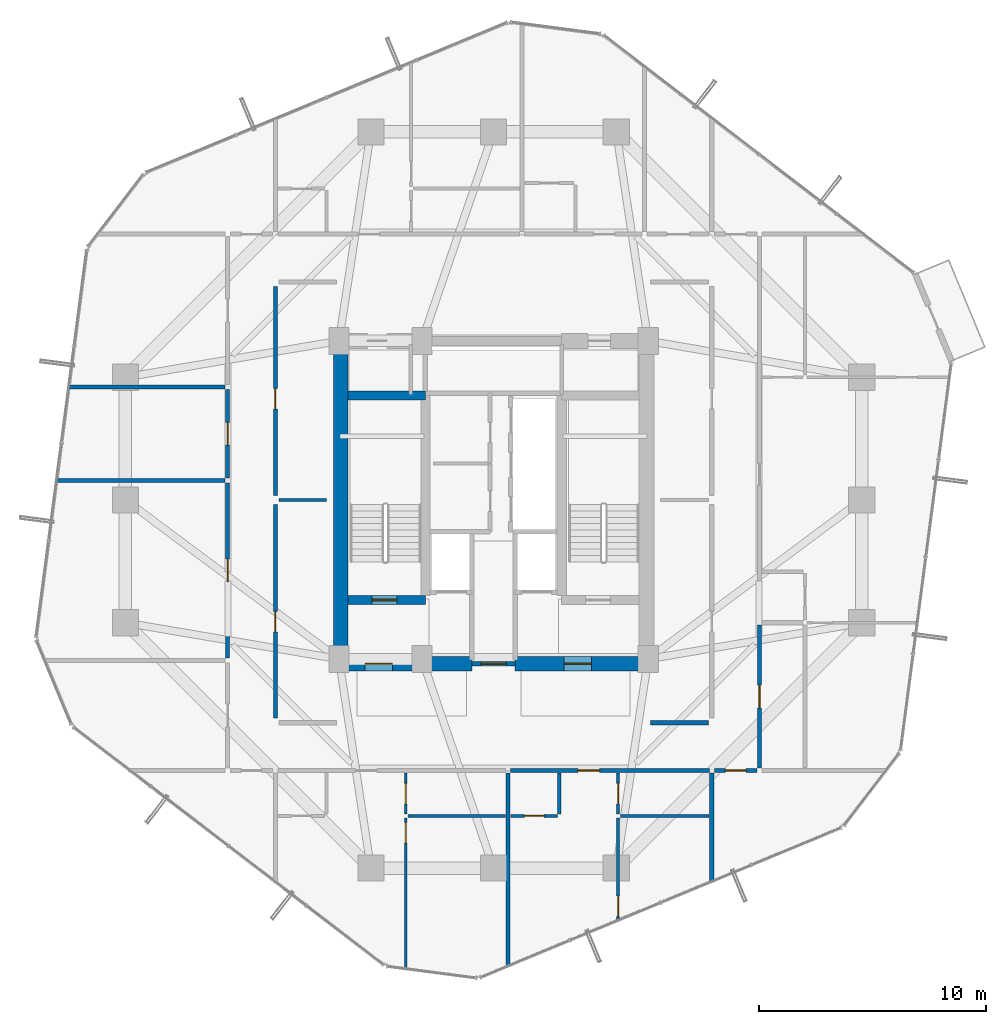
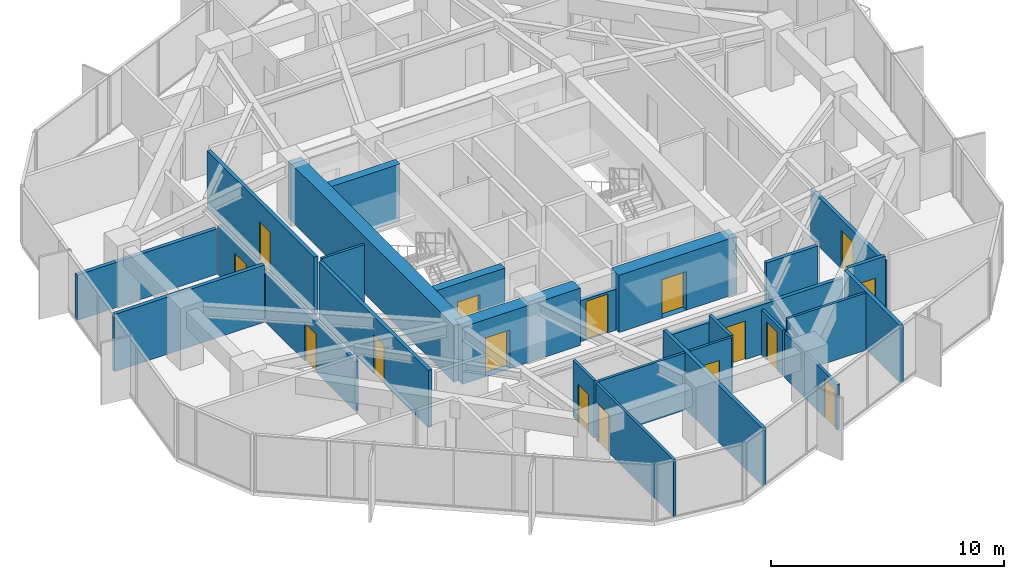
# One storey, part 25 of 30: 27 walls, 16 doors, 16 openings.
"""IFC4 building model written with IfcOpenShell, lengths in metres."""

from ifc_helpers import new_model, si_unit, direction, frame, frame_2d, origin, place, context, subcontext, project, spatial, rectangle, extrude, source, transform, mapped, material, layer, layer_set, type_object, element, fill, save


model = new_model("IFC4")

# Units and contexts
model_context = context("Model", 3, precision=1e-05, world=origin(), true_north=direction((0.0, 1.0)))
body_context = subcontext(model_context, "Body", "Model", "MODEL_VIEW")
ifc_project = project(units=[si_unit("LENGTHUNIT", "METRE"), si_unit("AREAUNIT", "SQUARE_METRE"), si_unit("VOLUMEUNIT", "CUBIC_METRE"), si_unit("PLANEANGLEUNIT", "RADIAN"), si_unit("MASSUNIT", "GRAM", prefix="KILO")], contexts=[model_context])

# Site, building, storey
site_placement = place(None, origin())
site = spatial("IfcSite", under=ifc_project, at=site_placement, CompositionType="ELEMENT")
building_placement = place(site_placement, origin())
building = spatial("IfcBuilding", under=site, at=building_placement, Name="Veraguas Prism Commons", CompositionType="ELEMENT")
storey_placement = place(building_placement, frame((0.0, 0.0, 102.449951171875)))
storey = spatial("IfcBuildingStorey", under=building, at=storey_placement, Name="L28", CompositionType="ELEMENT", Elevation=102.449951171875)

# Wall, opening, door
ifc_material_1 = material(Name="Concrete C50/60", Category="concrete")
ifc_layer_1 = layer(ifc_material_1, 0.39990234375, Name="Clinic and Mid Core Shear Wall RC 400", Category="concrete")
ifc_layer_set_1 = layer_set([ifc_layer_1], Name="Concrete C50/60")
wall_type_1 = type_object("IfcWallType", Name="Clinic and Mid Core Shear Wall RC 400", PredefinedType="SHEAR", material=ifc_layer_set_1)
wall_1_placement = place(storey_placement, frame((17.60009765625, 19.60009765625, 0.0), z_axis=(0.0, 0.0, 1.0), x_axis=(1.0, 0.0, 0.0)))
wall_1 = element("IfcWall", 1, at=wall_1_placement, inside=storey, type_object=wall_type_1, Name="Stair ST-01 South Shear Wall L28", PredefinedType="SHEAR", context=body_context, shape_type="SweptSolid", body=[
    extrude(rectangle(XDim=3.39990234375, YDim=0.39990234375, at=frame_2d((1.699951171875, 0.0))), origin(), (0.0, 0.0, 1.0), 3.0),
])
opening_1_placement = place(wall_1_placement, frame((1.050048828125, 0.0, 0.0)))
opening_1 = element("IfcOpeningElement", 2, at=opening_1_placement, cuts=wall_1, Name="Opening DR-05", PredefinedType="OPENING", context=body_context, shape_type="SweptSolid", body=[
    extrude(rectangle(XDim=1.10009765625, YDim=2.030029296875, at=frame_2d((0.550048828125, 1.01513671875))), frame((0.0, 0.2099609375, 0.0), z_axis=(0.0, -1.0, 0.0), x_axis=(1.0, 0.0, 0.0)), (0.0, 0.0, 1.0), 0.419921875),
])
ifc_material_2 = material(Name="Steel fire-rated door assembly", Category="steel")
door_type_1 = type_object("IfcDoorType", Name="Protected Stair and Refuge Fire Door 1100x2030", OperationType="NOTDEFINED", PredefinedType="DOOR", material=ifc_material_2)
shared_shape_1 = source(origin(), body_context, "Body", "SweptSolid", [
    extrude(rectangle(XDim=1.10009765625, YDim=2.030029296875, at=frame_2d((0.550048828125, 1.01513671875))), frame((0.0, 0.02490234375, 0.0), z_axis=(0.0, -1.0, 0.0), x_axis=(1.0, 0.0, 0.0)), (0.0, 0.0, 1.0), 0.050048828125),
])
door_1_placement = place(opening_1_placement, origin())
door_1 = element("IfcDoor", 3, at=door_1_placement, inside=storey, type_object=door_type_1, Name="Stair ST-01 Enclosure Door L28", OperationType="SINGLE_SWING_RIGHT", OverallHeight=2.030029296875, OverallWidth=1.10009765625, PredefinedType="DOOR", context=body_context, shape_type="MappedRepresentation", body=[
    mapped(shared_shape_1, transform((0.0, 0.0, 0.0), scale=1.0)),
])
fill(opening_1, door_1)

# Walls
wall_2_placement = place(storey_placement, frame((17.60009765625, 28.60009765625, 0.0), z_axis=(0.0, 0.0, 1.0), x_axis=(1.0, 0.0, 0.0)))
element("IfcWall", 4, at=wall_2_placement, inside=storey, type_object=wall_type_1, Name="Stair ST-01 North Shear Wall L28", PredefinedType="SHEAR", context=body_context, shape_type="SweptSolid", body=[
    extrude(rectangle(XDim=3.39990234375, YDim=0.39990234375, at=frame_2d((1.699951171875, 0.0))), origin(), (0.0, 0.0, 1.0), 3.0),
])
ifc_material_3 = material(Name="Concrete C55/67", Category="concrete")
ifc_layer_2 = layer(ifc_material_3, 0.64990234375, Name="Core Outer Shear Wall Mid RC 650", Category="concrete")
ifc_layer_set_2 = layer_set([ifc_layer_2], Name="Concrete C55/67")
wall_type_2 = type_object("IfcWallType", Name="Core Outer Shear Wall Mid RC 650", PredefinedType="SHEAR", material=ifc_layer_set_2)
wall_3_placement = place(storey_placement, frame((17.27490234375, 16.800048828125, 0.0), z_axis=(0.0, 0.0, 1.0), x_axis=(0.0, 1.0, 0.0)))
element("IfcWall", 5, at=wall_3_placement, inside=storey, type_object=wall_type_2, Name="Central Core West Shear Wall L28", PredefinedType="SHEAR", context=body_context, shape_type="SweptSolid", body=[
    extrude(rectangle(XDim=14.199951171875, YDim=0.64990234375, at=frame_2d((7.10009765625, 0.0))), origin(), (0.0, 0.0, 1.0), 3.0),
])

# Wall, opening, door
wall_4_placement = place(storey_placement, frame((17.199951171875, 16.800048828125, 0.0), z_axis=(0.0, 0.0, 1.0), x_axis=(1.0, 0.0, 0.0)))
wall_4 = element("IfcWall", 6, at=wall_4_placement, inside=storey, type_object=wall_type_2, Name="Central Core South-West Shear Wall L28", PredefinedType="SHEAR", context=body_context, shape_type="SweptSolid", body=[
    extrude(rectangle(XDim=5.85009765625, YDim=0.64990234375, at=frame_2d((2.925048828125, 0.0))), origin(), (0.0, 0.0, 1.0), 3.0),
])
opening_2_placement = place(wall_4_placement, frame((1.14990234375, 0.0, 0.0)))
opening_2 = element("IfcOpeningElement", 7, at=opening_2_placement, cuts=wall_4, Name="Opening DR-06", PredefinedType="OPENING", context=body_context, shape_type="SweptSolid", body=[
    extrude(rectangle(XDim=1.199951171875, YDim=2.030029296875, at=frame_2d((0.60009765625, 1.01513671875))), frame((0.0, 0.3349609375, 0.0), z_axis=(0.0, -1.0, 0.0), x_axis=(1.0, 0.0, 0.0)), (0.0, 0.0, 1.0), 0.669921875),
])
door_type_2 = type_object("IfcDoorType", Name="Firefighting Lobby Smoke Door 1200x2030", OperationType="NOTDEFINED", PredefinedType="DOOR", material=ifc_material_2)
shared_shape_2 = source(origin(), body_context, "Body", "SweptSolid", [
    extrude(rectangle(XDim=1.199951171875, YDim=2.030029296875, at=frame_2d((0.60009765625, 1.01513671875))), frame((0.0, 0.02490234375, 0.0), z_axis=(0.0, -1.0, 0.0), x_axis=(1.0, 0.0, 0.0)), (0.0, 0.0, 1.0), 0.050048828125),
])
door_2_placement = place(opening_2_placement, origin())
door_2 = element("IfcDoor", 8, at=door_2_placement, inside=storey, type_object=door_type_2, Name="West FF Lobby Door L28", OperationType="SINGLE_SWING_LEFT", OverallHeight=2.030029296875, OverallWidth=1.199951171875, PredefinedType="DOOR", context=body_context, shape_type="MappedRepresentation", body=[
    mapped(shared_shape_2, transform((0.0, 0.0, 0.0), scale=1.0)),
])
fill(opening_2, door_2)

wall_5_placement = place(storey_placement, frame((24.949951171875, 16.800048828125, 0.0), z_axis=(0.0, 0.0, 1.0), x_axis=(1.0, 0.0, 0.0)))
wall_5 = element("IfcWall", 9, at=wall_5_placement, inside=storey, type_object=wall_type_2, Name="Central Core South-East Shear Wall L28", PredefinedType="SHEAR", context=body_context, shape_type="SweptSolid", body=[
    extrude(rectangle(XDim=5.85009765625, YDim=0.64990234375, at=frame_2d((2.925048828125, 0.0))), origin(), (0.0, 0.0, 1.0), 3.0),
])
opening_3_placement = place(wall_5_placement, frame((2.14990234375, 0.0, 0.0)))
opening_3 = element("IfcOpeningElement", 10, at=opening_3_placement, cuts=wall_5, Name="Opening DR-06", PredefinedType="OPENING", context=body_context, shape_type="SweptSolid", body=[
    extrude(rectangle(XDim=1.199951171875, YDim=2.030029296875, at=frame_2d((0.60009765625, 1.01513671875))), frame((0.0, 0.3349609375, 0.0), z_axis=(0.0, -1.0, 0.0), x_axis=(1.0, 0.0, 0.0)), (0.0, 0.0, 1.0), 0.669921875),
])
door_3_placement = place(opening_3_placement, origin())
door_3 = element("IfcDoor", 11, at=door_3_placement, inside=storey, type_object=door_type_2, Name="East FF Lobby Door L28", OperationType="SINGLE_SWING_LEFT", OverallHeight=2.030029296875, OverallWidth=1.199951171875, PredefinedType="DOOR", context=body_context, shape_type="MappedRepresentation", body=[
    mapped(shared_shape_2, transform((0.0, 0.0, 0.0), scale=1.0)),
])
fill(opening_3, door_3)

ifc_material_4 = material(Name="Autoclaved aerated masonry block 10 MPa", Category="masonry")
ifc_layer_3 = layer(ifc_material_4, 0.179931640625, Name="Corridor and Inter-Tenancy Partition 180", Category="masonry")
ifc_layer_set_3 = layer_set([ifc_layer_3], Name="Autoclaved aerated masonry block 10 MPa")
wall_type_3 = type_object("IfcWallType", Name="Corridor and Inter-Tenancy Partition 180", PredefinedType="PARTITIONING", material=ifc_layer_set_3)
wall_6_placement = place(storey_placement, frame((14.39990234375, 14.39990234375, 0.0), z_axis=(0.0, 0.0, 1.0), x_axis=(0.0, 1.0, 0.0)))
wall_6 = element("IfcWall", 12, at=wall_6_placement, inside=storey, type_object=wall_type_3, Name="WL-L28-IRW1", PredefinedType="PARTITIONING", context=body_context, shape_type="SweptSolid", body=[
    extrude(rectangle(XDim=9.400146484375, YDim=0.179931640625, at=frame_2d((4.7001953125, 0.0))), origin(), (0.0, 0.0, 1.0), 3.0),
])
opening_4_placement = place(wall_6_placement, frame((3.800048828125, 0.0, 0.0)))
opening_4 = element("IfcOpeningElement", 13, at=opening_4_placement, cuts=wall_6, Name="Opening DR-14", PredefinedType="OPENING", context=body_context, shape_type="SweptSolid", body=[
    extrude(rectangle(XDim=0.89990234375, YDim=2.010009765625, at=frame_2d((0.449951171875, 1.0048828125))), frame((0.0, 0.099853515625, 0.0), z_axis=(0.0, -1.0, 0.0), x_axis=(1.0, 0.0, 0.0)), (0.0, 0.0, 1.0), 0.199951171875),
])
door_type_3 = type_object("IfcDoorType", Name="Core Service Room Fire Door 900x2010", OperationType="NOTDEFINED", PredefinedType="DOOR", material=ifc_material_2)
shared_shape_3 = source(origin(), body_context, "Body", "SweptSolid", [
    extrude(rectangle(XDim=0.89990234375, YDim=2.010009765625, at=frame_2d((0.449951171875, 1.0048828125))), frame((0.0, 0.02490234375, 0.0), z_axis=(0.0, -1.0, 0.0), x_axis=(1.0, 0.0, 0.0)), (0.0, 0.0, 1.0), 0.050048828125),
])
door_4_placement = place(opening_4_placement, origin())
door_4 = element("IfcDoor", 14, at=door_4_placement, inside=storey, type_object=door_type_3, Name="Residents Quiet Study Pod Door L28", OperationType="SINGLE_SWING_RIGHT", OverallHeight=2.010009765625, OverallWidth=0.89990234375, PredefinedType="DOOR", context=body_context, shape_type="MappedRepresentation", body=[
    mapped(shared_shape_3, transform((0.0, 0.0, 0.0), scale=1.0)),
])
fill(opening_4, door_4)

wall_7_placement = place(storey_placement, frame((14.39990234375, 24.199951171875, 0.0), z_axis=(0.0, 0.0, 1.0), x_axis=(0.0, 1.0, 0.0)))
wall_7 = element("IfcWall", 15, at=wall_7_placement, inside=storey, type_object=wall_type_3, Name="WL-L28-IRW2", PredefinedType="PARTITIONING", context=body_context, shape_type="SweptSolid", body=[
    extrude(rectangle(XDim=9.199951171875, YDim=0.179931640625, at=frame_2d((4.60009765625, 0.0))), origin(), (0.0, 0.0, 1.0), 3.0),
])
opening_5_placement = place(wall_7_placement, frame((3.800048828125, 0.0, 0.0)))
opening_5 = element("IfcOpeningElement", 16, at=opening_5_placement, cuts=wall_7, Name="Opening DR-14", PredefinedType="OPENING", context=body_context, shape_type="SweptSolid", body=[
    extrude(rectangle(XDim=0.89990234375, YDim=2.010009765625, at=frame_2d((0.449951171875, 1.0048828125))), frame((0.0, 0.099853515625, 0.0), z_axis=(0.0, -1.0, 0.0), x_axis=(1.0, 0.0, 0.0)), (0.0, 0.0, 1.0), 0.199951171875),
])
door_5_placement = place(opening_5_placement, origin())
door_5 = element("IfcDoor", 17, at=door_5_placement, inside=storey, type_object=door_type_3, Name="Co-op Cycle and Pram Store Door L28", OperationType="SINGLE_SWING_LEFT", OverallHeight=2.010009765625, OverallWidth=0.89990234375, PredefinedType="DOOR", context=body_context, shape_type="MappedRepresentation", body=[
    mapped(shared_shape_3, transform((0.0, 0.0, 0.0), scale=1.0)),
])
fill(opening_5, door_5)

# Walls
wall_8_placement = place(storey_placement, frame((30.89990234375, 14.199951171875, 0.0), z_axis=(0.0, 0.0, 1.0), x_axis=(1.0, 0.0, 0.0)))
element("IfcWall", 18, at=wall_8_placement, inside=storey, type_object=wall_type_3, Name="WL-L28-IRES", PredefinedType="PARTITIONING", context=body_context, shape_type="SweptSolid", body=[
    extrude(rectangle(XDim=2.550048828125, YDim=0.179931640625, at=frame_2d((1.27490234375, 0.0))), origin(), (0.0, 0.0, 1.0), 3.0),
])
wall_9_placement = place(storey_placement, frame((33.60009765625, 11.97998046875, 0.0), z_axis=(0.0, 0.0, 1.0), x_axis=(0.0, -1.0, 0.0)))
element("IfcWall", 19, at=wall_9_placement, inside=storey, type_object=wall_type_3, Name="WL-L28-PT002", PredefinedType="PARTITIONING", context=body_context, shape_type="SweptSolid", body=[
    extrude(rectangle(XDim=4.797119140625, YDim=0.179931640625, at=frame_2d((2.3984375, 0.0))), origin(), (0.0, 0.0, 1.0), 3.0),
])
wall_10_placement = place(storey_placement, frame((24.64404296875, 11.97998046875, 0.0), z_axis=(0.0, 0.0, 1.0), x_axis=(0.0, -1.0, 0.0)))
element("IfcWall", 20, at=wall_10_placement, inside=storey, type_object=wall_type_3, Name="WL-L28-PT009", PredefinedType="PARTITIONING", context=body_context, shape_type="SweptSolid", body=[
    extrude(rectangle(XDim=8.51416015625, YDim=0.179931640625, at=frame_2d((4.257080078125, 0.0))), origin(), (0.0, 0.0, 1.0), 3.0),
])

# Wall, opening, door
wall_11_placement = place(storey_placement, frame((24.75390625, 12.10009765625, 0.0), z_axis=(0.0, 0.0, 1.0), x_axis=(1.0, 0.0, 0.0)))
wall_11 = element("IfcWall", 21, at=wall_11_placement, inside=storey, type_object=wall_type_3, Name="WL-L28-PT010", PredefinedType="PARTITIONING", context=body_context, shape_type="SweptSolid", body=[
    extrude(rectangle(XDim=8.736083984375, YDim=0.179931640625, at=frame_2d((4.3681640625, 0.0))), origin(), (0.0, 0.0, 1.0), 2.580078125),
])
opening_6_placement = place(wall_11_placement, frame((2.9580078125, 0.0, 0.0)))
opening_6 = element("IfcOpeningElement", 22, at=opening_6_placement, cuts=wall_11, Name="Opening DR-01", PredefinedType="OPENING", context=body_context, shape_type="SweptSolid", body=[
    extrude(rectangle(XDim=0.949951171875, YDim=2.02001953125, at=frame_2d((0.47509765625, 1.010009765625))), frame((0.0, 0.099853515625, 0.0), z_axis=(0.0, -1.0, 0.0), x_axis=(1.0, 0.0, 0.0)), (0.0, 0.0, 1.0), 0.199951171875),
])
ifc_material_5 = material(Name="Anodised aluminium EN AW-6063 T6", Category="aluminium")
door_type_4 = type_object("IfcDoorType", Name="Apartment Entrance Fire Door 950x2020", OperationType="NOTDEFINED", PredefinedType="DOOR", material=ifc_material_5)
shared_shape_4 = source(origin(), body_context, "Body", "SweptSolid", [
    extrude(rectangle(XDim=0.949951171875, YDim=2.02001953125, at=frame_2d((0.47509765625, 1.010009765625))), frame((0.0, 0.02490234375, 0.0), z_axis=(0.0, -1.0, 0.0), x_axis=(1.0, 0.0, 0.0)), (0.0, 0.0, 1.0), 0.050048828125),
])
door_6_placement = place(opening_6_placement, origin())
door_6 = element("IfcDoor", 23, at=door_6_placement, inside=storey, type_object=door_type_4, Name="Flat 28B Entrance Door", OperationType="SINGLE_SWING_RIGHT", OverallHeight=2.02001953125, OverallWidth=0.949951171875, PredefinedType="DOOR", context=body_context, shape_type="MappedRepresentation", body=[
    mapped(shared_shape_4, transform((0.0, 0.0, 0.0), scale=1.0)),
])
fill(opening_6, door_6)

wall_12_placement = place(storey_placement, frame((12.300048828125, 17.055908203125, 0.0), z_axis=(0.0, 0.0, 1.0), x_axis=(0.0, 1.0, 0.0)))
wall_12 = element("IfcWall", 24, at=wall_12_placement, inside=storey, type_object=wall_type_3, Name="WL-L28-PT033", PredefinedType="PARTITIONING", context=body_context, shape_type="SweptSolid", body=[
    extrude(rectangle(XDim=7.68603515625, YDim=0.179931640625, at=frame_2d((3.843017578125, 0.0))), origin(), (0.0, 0.0, 1.0), 2.580078125),
])
opening_7_placement = place(wall_12_placement, frame((3.343017578125, 0.0, 0.0)))
opening_7 = element("IfcOpeningElement", 25, at=opening_7_placement, cuts=wall_12, Name="Opening DR-13", PredefinedType="OPENING", context=body_context, shape_type="SweptSolid", body=[
    extrude(rectangle(XDim=1.0, YDim=2.010009765625, at=frame_2d((0.5, 1.0048828125))), frame((0.0, 0.099853515625, 0.0), z_axis=(0.0, -1.0, 0.0), x_axis=(1.0, 0.0, 0.0)), (0.0, 0.0, 1.0), 0.199951171875),
])
door_type_5 = type_object("IfcDoorType", Name="Core Accessible WC and Clinic Fire Door 1000x2010", OperationType="NOTDEFINED", PredefinedType="DOOR", material=ifc_material_2)
shared_shape_5 = source(origin(), body_context, "Body", "SweptSolid", [
    extrude(rectangle(XDim=1.0, YDim=2.010009765625, at=frame_2d((0.5, 1.0048828125))), frame((0.0, 0.02490234375, 0.0), z_axis=(0.0, -1.0, 0.0), x_axis=(1.0, 0.0, 0.0)), (0.0, 0.0, 1.0), 0.050048828125),
])
door_7_placement = place(opening_7_placement, origin())
door_7 = element("IfcDoor", 26, at=door_7_placement, inside=storey, type_object=door_type_5, Name="Co-op Store W Door", OperationType="SINGLE_SWING_RIGHT", OverallHeight=2.010009765625, OverallWidth=1.0, PredefinedType="DOOR", context=body_context, shape_type="MappedRepresentation", body=[
    mapped(shared_shape_5, transform((0.0, 0.0, 0.0), scale=1.0)),
])
fill(opening_7, door_7)

# Wall
wall_13_placement = place(storey_placement, frame((12.179931640625, 24.85205078125, 0.0), z_axis=(0.0, 0.0, 1.0), x_axis=(-1.0, 0.0, 0.0)))
element("IfcWall", 27, at=wall_13_placement, inside=storey, type_object=wall_type_3, Name="WL-L28-PT035", PredefinedType="PARTITIONING", context=body_context, shape_type="SweptSolid", body=[
    extrude(rectangle(XDim=7.44482421875, YDim=0.179931640625, at=frame_2d((3.722412109375, 0.0))), origin(), (0.0, 0.0, 1.0), 3.0),
])

# Wall, opening, door
wall_14_placement = place(storey_placement, frame((12.300048828125, 24.9619140625, 0.0), z_axis=(0.0, 0.0, 1.0), x_axis=(0.0, 1.0, 0.0)))
wall_14 = element("IfcWall", 28, at=wall_14_placement, inside=storey, type_object=wall_type_3, Name="WL-L28-PT036", PredefinedType="PARTITIONING", context=body_context, shape_type="SweptSolid", body=[
    extrude(rectangle(XDim=3.902099609375, YDim=0.179931640625, at=frame_2d((1.951171875, 0.0))), origin(), (0.0, 0.0, 1.0), 2.580078125),
])
opening_8_placement = place(wall_14_placement, frame((1.450927734375, 0.0, 0.0)))
opening_8 = element("IfcOpeningElement", 29, at=opening_8_placement, cuts=wall_14, Name="Opening DR-13", PredefinedType="OPENING", context=body_context, shape_type="SweptSolid", body=[
    extrude(rectangle(XDim=1.0, YDim=2.010009765625, at=frame_2d((0.5, 1.0048828125))), frame((0.0, 0.099853515625, 0.0), z_axis=(0.0, -1.0, 0.0), x_axis=(1.0, 0.0, 0.0)), (0.0, 0.0, 1.0), 0.199951171875),
])
door_8_placement = place(opening_8_placement, origin())
door_8 = element("IfcDoor", 30, at=door_8_placement, inside=storey, type_object=door_type_5, Name="Shared Laundry Room Door", OperationType="SINGLE_SWING_LEFT", OverallHeight=2.010009765625, OverallWidth=1.0, PredefinedType="DOOR", context=body_context, shape_type="MappedRepresentation", body=[
    mapped(shared_shape_5, transform((0.0, 0.0, 0.0), scale=1.0)),
])
fill(opening_8, door_8)

# Wall
wall_15_placement = place(storey_placement, frame((12.179931640625, 28.97412109375, 0.0), z_axis=(0.0, 0.0, 1.0), x_axis=(-1.0, 0.0, 0.0)))
element("IfcWall", 31, at=wall_15_placement, inside=storey, type_object=wall_type_3, Name="WL-L28-PT038", PredefinedType="PARTITIONING", context=body_context, shape_type="SweptSolid", body=[
    extrude(rectangle(XDim=6.905029296875, YDim=0.179931640625, at=frame_2d((3.45263671875, 0.0))), origin(), (0.0, 0.0, 1.0), 2.3779296875),
])

# Wall, opening, door
wall_16_placement = place(storey_placement, frame((35.699951171875, 12.2099609375, 0.0), z_axis=(0.0, 0.0, 1.0), x_axis=(0.0, 1.0, 0.0)))
wall_16 = element("IfcWall", 32, at=wall_16_placement, inside=storey, type_object=wall_type_3, Name="WL-L28-PT041", PredefinedType="PARTITIONING", context=body_context, shape_type="SweptSolid", body=[
    extrude(rectangle(XDim=6.280029296875, YDim=0.179931640625, at=frame_2d((3.14013671875, 0.0))), origin(), (0.0, 0.0, 1.0), 2.580078125),
])
opening_9_placement = place(wall_16_placement, frame((2.639892578125, 0.0, 0.0)))
opening_9 = element("IfcOpeningElement", 33, at=opening_9_placement, cuts=wall_16, Name="Opening DR-13", PredefinedType="OPENING", context=body_context, shape_type="SweptSolid", body=[
    extrude(rectangle(XDim=1.0, YDim=2.010009765625, at=frame_2d((0.5, 1.0048828125))), frame((0.0, 0.099853515625, 0.0), z_axis=(0.0, -1.0, 0.0), x_axis=(1.0, 0.0, 0.0)), (0.0, 0.0, 1.0), 0.199951171875),
])
door_9_placement = place(opening_9_placement, origin())
door_9 = element("IfcDoor", 34, at=door_9_placement, inside=storey, type_object=door_type_5, Name="Residents Study Alcove 28E Door", OperationType="SINGLE_SWING_LEFT", OverallHeight=2.010009765625, OverallWidth=1.0, PredefinedType="DOOR", context=body_context, shape_type="MappedRepresentation", body=[
    mapped(shared_shape_5, transform((0.0, 0.0, 0.0), scale=1.0)),
])
fill(opening_9, door_9)

wall_17_placement = place(storey_placement, frame((33.719970703125, 12.10009765625, 0.0), z_axis=(0.0, 0.0, 1.0), x_axis=(1.0, 0.0, 0.0)))
wall_17 = element("IfcWall", 35, at=wall_17_placement, inside=storey, type_object=wall_type_3, Name="WL-L28-PT052", PredefinedType="PARTITIONING", context=body_context, shape_type="SweptSolid", body=[
    extrude(rectangle(XDim=1.860107421875, YDim=0.179931640625, at=frame_2d((0.93017578125, 0.0))), origin(), (0.0, 0.0, 1.0), 3.0),
])
opening_10_placement = place(wall_17_placement, frame((0.47998046875, 0.0, 0.0)))
opening_10 = element("IfcOpeningElement", 36, at=opening_10_placement, cuts=wall_17, Name="Opening DR-14", PredefinedType="OPENING", context=body_context, shape_type="SweptSolid", body=[
    extrude(rectangle(XDim=0.89990234375, YDim=2.010009765625, at=frame_2d((0.449951171875, 1.0048828125))), frame((0.0, 0.099853515625, 0.0), z_axis=(0.0, -1.0, 0.0), x_axis=(1.0, 0.0, 0.0)), (0.0, 0.0, 1.0), 0.199951171875),
])
door_10_placement = place(opening_10_placement, origin())
door_10 = element("IfcDoor", 37, at=door_10_placement, inside=storey, type_object=door_type_3, Name="Shared Laundry Room SE Door", OperationType="SINGLE_SWING_RIGHT", OverallHeight=2.010009765625, OverallWidth=0.89990234375, PredefinedType="DOOR", context=body_context, shape_type="MappedRepresentation", body=[
    mapped(shared_shape_3, transform((0.0, 0.0, 0.0), scale=1.0)),
])
fill(opening_10, door_10)

# Wall
ifc_material_6 = material(Name="Lightweight acoustic gypsum board")
ifc_layer_4 = layer(ifc_material_6, 0.125, Name="Internal Apartment Room Partition 125")
ifc_layer_set_4 = layer_set([ifc_layer_4], Name="Lightweight acoustic gypsum board")
wall_type_4 = type_object("IfcWallType", Name="Internal Apartment Room Partition 125", PredefinedType="PARTITIONING", material=ifc_layer_set_4)
wall_18_placement = place(storey_placement, frame((14.550048828125, 24.0, 0.0), z_axis=(0.0, 0.0, 1.0), x_axis=(1.0, 0.0, 0.0)))
element("IfcWall", 38, at=wall_18_placement, inside=storey, type_object=wall_type_4, Name="WL-L28-IRWM", PredefinedType="PARTITIONING", context=body_context, shape_type="SweptSolid", body=[
    extrude(rectangle(XDim=2.099853515625, YDim=0.125, at=frame_2d((1.0498046875, 0.0))), origin(), (0.0, 0.0, 1.0), 3.0),
])

# Wall, opening, door
wall_19_placement = place(storey_placement, frame((20.136962890625, 11.97998046875, 0.0), z_axis=(0.0, 0.0, 1.0), x_axis=(0.0, -1.0, 0.0)))
wall_19 = element("IfcWall", 39, at=wall_19_placement, inside=storey, type_object=wall_type_4, Name="WL-L28-PT006", PredefinedType="PARTITIONING", context=body_context, shape_type="SweptSolid", body=[
    extrude(rectangle(XDim=1.800048828125, YDim=0.125, at=frame_2d((0.89990234375, 0.0))), origin(), (0.0, 0.0, 1.0), 3.0),
])
opening_11_placement = place(wall_19_placement, frame((0.449951171875, 0.0, 0.0)))
opening_11 = element("IfcOpeningElement", 40, at=opening_11_placement, cuts=wall_19, Name="Opening DR-02", PredefinedType="OPENING", context=body_context, shape_type="SweptSolid", body=[
    extrude(rectangle(XDim=0.89990234375, YDim=2.010009765625, at=frame_2d((0.449951171875, 1.0048828125))), frame((0.0, 0.072509765625, 0.0), z_axis=(0.0, -1.0, 0.0), x_axis=(1.0, 0.0, 0.0)), (0.0, 0.0, 1.0), 0.14501953125),
])
ifc_material_7 = material(Name="Timber solid core hardwood", Category="wood")
door_type_6 = type_object("IfcDoorType", Name="Internal Habitable Room Door 900x2010", OperationType="NOTDEFINED", PredefinedType="DOOR", material=ifc_material_7)
door_11_placement = place(opening_11_placement, origin())
door_11 = element("IfcDoor", 41, at=door_11_placement, inside=storey, type_object=door_type_6, Name="Flat 28A Kitchen Door", OperationType="SINGLE_SWING_RIGHT", OverallHeight=2.010009765625, OverallWidth=0.89990234375, PredefinedType="DOOR", context=body_context, shape_type="MappedRepresentation", body=[
    mapped(shared_shape_3, transform((0.0, 0.0, 0.0), scale=1.0)),
])
fill(opening_11, door_11)

# Wall
wall_20_placement = place(storey_placement, frame((20.237060546875, 10.10009765625, 0.0), z_axis=(0.0, 0.0, 1.0), x_axis=(1.0, 0.0, 0.0)))
element("IfcWall", 42, at=wall_20_placement, inside=storey, type_object=wall_type_4, Name="WL-L28-PT007", PredefinedType="PARTITIONING", context=body_context, shape_type="SweptSolid", body=[
    extrude(rectangle(XDim=4.286865234375, YDim=0.125, at=frame_2d((2.1435546875, 0.0))), origin(), (0.0, 0.0, 1.0), 3.0),
])

# Wall, opening, door
wall_21_placement = place(storey_placement, frame((20.136962890625, 10.0, 0.0), z_axis=(0.0, 0.0, 1.0), x_axis=(0.0, -1.0, 0.0)))
wall_21 = element("IfcWall", 43, at=wall_21_placement, inside=storey, type_object=wall_type_4, Name="WL-L28-PT008", PredefinedType="PARTITIONING", context=body_context, shape_type="SweptSolid", body=[
    extrude(rectangle(XDim=6.654296875, YDim=0.125, at=frame_2d((3.3271484375, 0.0))), origin(), (0.0, 0.0, 1.0), 3.0),
])
opening_12_placement = place(wall_21_placement, frame((0.199951171875, 0.0, 0.0)))
opening_12 = element("IfcOpeningElement", 44, at=opening_12_placement, cuts=wall_21, Name="Opening DR-02", PredefinedType="OPENING", context=body_context, shape_type="SweptSolid", body=[
    extrude(rectangle(XDim=0.89990234375, YDim=2.010009765625, at=frame_2d((0.449951171875, 1.0048828125))), frame((0.0, 0.072509765625, 0.0), z_axis=(0.0, -1.0, 0.0), x_axis=(1.0, 0.0, 0.0)), (0.0, 0.0, 1.0), 0.14501953125),
])
door_12_placement = place(opening_12_placement, origin())
door_12 = element("IfcDoor", 45, at=door_12_placement, inside=storey, type_object=door_type_6, Name="Flat 28A Bedroom 1 Door", OperationType="SINGLE_SWING_LEFT", OverallHeight=2.010009765625, OverallWidth=0.89990234375, PredefinedType="DOOR", context=body_context, shape_type="MappedRepresentation", body=[
    mapped(shared_shape_3, transform((0.0, 0.0, 0.0), scale=1.0)),
])
fill(opening_12, door_12)

wall_22_placement = place(storey_placement, frame((24.763916015625, 10.10009765625, 0.0), z_axis=(0.0, 0.0, 1.0), x_axis=(1.0, 0.0, 0.0)))
wall_22 = element("IfcWall", 46, at=wall_22_placement, inside=storey, type_object=wall_type_4, Name="WL-L28-PT012", PredefinedType="PARTITIONING", context=body_context, shape_type="SweptSolid", body=[
    extrude(rectangle(XDim=2.050048828125, YDim=0.125, at=frame_2d((1.02490234375, 0.0))), origin(), (0.0, 0.0, 1.0), 3.0),
])
opening_13_placement = place(wall_22_placement, frame((0.594970703125, 0.0, 0.0)))
opening_13 = element("IfcOpeningElement", 47, at=opening_13_placement, cuts=wall_22, Name="Opening DR-03", PredefinedType="OPENING", context=body_context, shape_type="SweptSolid", body=[
    extrude(rectangle(XDim=0.860107421875, YDim=2.010009765625, at=frame_2d((0.43017578125, 1.0048828125))), frame((0.0, 0.072509765625, 0.0), z_axis=(0.0, -1.0, 0.0), x_axis=(1.0, 0.0, 0.0)), (0.0, 0.0, 1.0), 0.14501953125),
])
ifc_material_8 = material(Name="Timber moisture-resistant leaf", Category="wood")
door_type_7 = type_object("IfcDoorType", Name="Internal Bathroom Door 860x2010", OperationType="NOTDEFINED", PredefinedType="DOOR", material=ifc_material_8)
shared_shape_6 = source(origin(), body_context, "Body", "SweptSolid", [
    extrude(rectangle(XDim=0.860107421875, YDim=2.010009765625, at=frame_2d((0.43017578125, 1.0048828125))), frame((0.0, 0.02490234375, 0.0), z_axis=(0.0, -1.0, 0.0), x_axis=(1.0, 0.0, 0.0)), (0.0, 0.0, 1.0), 0.050048828125),
])
door_13_placement = place(opening_13_placement, origin())
door_13 = element("IfcDoor", 48, at=door_13_placement, inside=storey, type_object=door_type_7, Name="Flat 28B Bathroom Door", OperationType="SINGLE_SWING_LEFT", OverallHeight=2.010009765625, OverallWidth=0.860107421875, PredefinedType="DOOR", context=body_context, shape_type="MappedRepresentation", body=[
    mapped(shared_shape_6, transform((0.0, 0.0, 0.0), scale=1.0)),
])
fill(opening_13, door_13)

wall_23_placement = place(storey_placement, frame((29.47998046875, 11.97998046875, 0.0), z_axis=(0.0, 0.0, 1.0), x_axis=(0.0, -1.0, 0.0)))
wall_23 = element("IfcWall", 49, at=wall_23_placement, inside=storey, type_object=wall_type_4, Name="WL-L28-PT013", PredefinedType="PARTITIONING", context=body_context, shape_type="SweptSolid", body=[
    extrude(rectangle(XDim=1.800048828125, YDim=0.125, at=frame_2d((0.89990234375, 0.0))), origin(), (0.0, 0.0, 1.0), 2.3779296875),
])
opening_14_placement = place(wall_23_placement, frame((0.449951171875, 0.0, 0.0)))
opening_14 = element("IfcOpeningElement", 50, at=opening_14_placement, cuts=wall_23, Name="Opening DR-02", PredefinedType="OPENING", context=body_context, shape_type="SweptSolid", body=[
    extrude(rectangle(XDim=0.89990234375, YDim=2.010009765625, at=frame_2d((0.449951171875, 1.0048828125))), frame((0.0, 0.072509765625, 0.0), z_axis=(0.0, -1.0, 0.0), x_axis=(1.0, 0.0, 0.0)), (0.0, 0.0, 1.0), 0.14501953125),
])
door_14_placement = place(opening_14_placement, origin())
door_14 = element("IfcDoor", 51, at=door_14_placement, inside=storey, type_object=door_type_6, Name="Flat 28B Kitchen Door", OperationType="SINGLE_SWING_RIGHT", OverallHeight=2.010009765625, OverallWidth=0.89990234375, PredefinedType="DOOR", context=body_context, shape_type="MappedRepresentation", body=[
    mapped(shared_shape_3, transform((0.0, 0.0, 0.0), scale=1.0)),
])
fill(opening_14, door_14)

# Wall
wall_24_placement = place(storey_placement, frame((29.580078125, 10.10009765625, 0.0), z_axis=(0.0, 0.0, 1.0), x_axis=(1.0, 0.0, 0.0)))
element("IfcWall", 52, at=wall_24_placement, inside=storey, type_object=wall_type_4, Name="WL-L28-PT014", PredefinedType="PARTITIONING", context=body_context, shape_type="SweptSolid", body=[
    extrude(rectangle(XDim=3.89990234375, YDim=0.125, at=frame_2d((1.949951171875, 0.0))), origin(), (0.0, 0.0, 1.0), 3.0),
])

# Wall, opening, door
wall_25_placement = place(storey_placement, frame((29.47998046875, 10.0, 0.0), z_axis=(0.0, 0.0, 1.0), x_axis=(0.0, -1.0, 0.0)))
wall_25 = element("IfcWall", 53, at=wall_25_placement, inside=storey, type_object=wall_type_4, Name="WL-L28-PT015", PredefinedType="PARTITIONING", context=body_context, shape_type="SweptSolid", body=[
    extrude(rectangle(XDim=4.527099609375, YDim=0.125, at=frame_2d((2.263671875, 0.0))), origin(), (0.0, 0.0, 1.0), 2.3779296875),
])
opening_15_placement = place(wall_25_placement, frame((3.427001953125, 0.0, 0.0)))
opening_15 = element("IfcOpeningElement", 54, at=opening_15_placement, cuts=wall_25, Name="Opening DR-02", PredefinedType="OPENING", context=body_context, shape_type="SweptSolid", body=[
    extrude(rectangle(XDim=0.89990234375, YDim=2.010009765625, at=frame_2d((0.449951171875, 1.0048828125))), frame((0.0, 0.072509765625, 0.0), z_axis=(0.0, -1.0, 0.0), x_axis=(1.0, 0.0, 0.0)), (0.0, 0.0, 1.0), 0.14501953125),
])
door_15_placement = place(opening_15_placement, origin())
door_15 = element("IfcDoor", 55, at=door_15_placement, inside=storey, type_object=door_type_6, Name="Flat 28B Bedroom 1 Door", OperationType="SINGLE_SWING_LEFT", OverallHeight=2.010009765625, OverallWidth=0.89990234375, PredefinedType="DOOR", context=body_context, shape_type="MappedRepresentation", body=[
    mapped(shared_shape_3, transform((0.0, 0.0, 0.0), scale=1.0)),
])
fill(opening_15, door_15)

ifc_layer_5 = layer(ifc_material_4, 0.199951171875, Name="Rated Shaft and Lobby Block Wall 200", Category="masonry")
ifc_layer_set_5 = layer_set([ifc_layer_5], Name="Autoclaved aerated masonry block 10 MPa")
wall_type_5 = type_object("IfcWallType", Name="Rated Shaft and Lobby Block Wall 200", PredefinedType="SOLIDWALL", material=ifc_layer_set_5)
wall_26_placement = place(storey_placement, frame((23.050048828125, 16.800048828125, 0.0), z_axis=(0.0, 0.0, 1.0), x_axis=(1.0, 0.0, 0.0)))
wall_26 = element("IfcWall", 56, at=wall_26_placement, inside=storey, type_object=wall_type_5, Name="Central Core Lobby Entrance Wall L28", PredefinedType="SOLIDWALL", context=body_context, shape_type="SweptSolid", body=[
    extrude(rectangle(XDim=1.89990234375, YDim=0.199951171875, at=frame_2d((0.949951171875, 0.0))), origin(), (0.0, 0.0, 1.0), 2.150146484375),
])
opening_16_placement = place(wall_26_placement, frame((0.39990234375, 0.0, 0.0)))
opening_16 = element("IfcOpeningElement", 57, at=opening_16_placement, cuts=wall_26, Name="Opening DR-05", PredefinedType="OPENING", context=body_context, shape_type="SweptSolid", body=[
    extrude(rectangle(XDim=1.10009765625, YDim=2.030029296875, at=frame_2d((0.550048828125, 1.01513671875))), frame((0.0, 0.10986328125, 0.0), z_axis=(0.0, -1.0, 0.0), x_axis=(1.0, 0.0, 0.0)), (0.0, 0.0, 1.0), 0.219970703125),
])
door_16_placement = place(opening_16_placement, origin())
door_16 = element("IfcDoor", 58, at=door_16_placement, inside=storey, type_object=door_type_1, Name="Central Lobby Door L28", OperationType="SINGLE_SWING_RIGHT", OverallHeight=2.030029296875, OverallWidth=1.10009765625, PredefinedType="DOOR", context=body_context, shape_type="MappedRepresentation", body=[
    mapped(shared_shape_1, transform((0.0, 0.0, 0.0), scale=1.0)),
])
fill(opening_16, door_16)

# Wall
ifc_layer_6 = layer(ifc_material_6, 0.14990234375, Name="Wet Room and Clinic Acoustic Partition 150")
ifc_layer_set_6 = layer_set([ifc_layer_6], Name="Lightweight acoustic gypsum board")
wall_type_6 = type_object("IfcWallType", Name="Wet Room and Clinic Acoustic Partition 150", PredefinedType="PARTITIONING", material=ifc_layer_set_6)
wall_27_placement = place(storey_placement, frame((26.89404296875, 11.97998046875, 0.0), z_axis=(0.0, 0.0, 1.0), x_axis=(0.0, -1.0, 0.0)))
element("IfcWall", 59, at=wall_27_placement, inside=storey, type_object=wall_type_6, Name="WL-L28-PT011", PredefinedType="PARTITIONING", context=body_context, shape_type="SweptSolid", body=[
    extrude(rectangle(XDim=1.800048828125, YDim=0.14990234375, at=frame_2d((0.89990234375, 0.0))), origin(), (0.0, 0.0, 1.0), 3.0),
])

save(model, "model.ifc")
